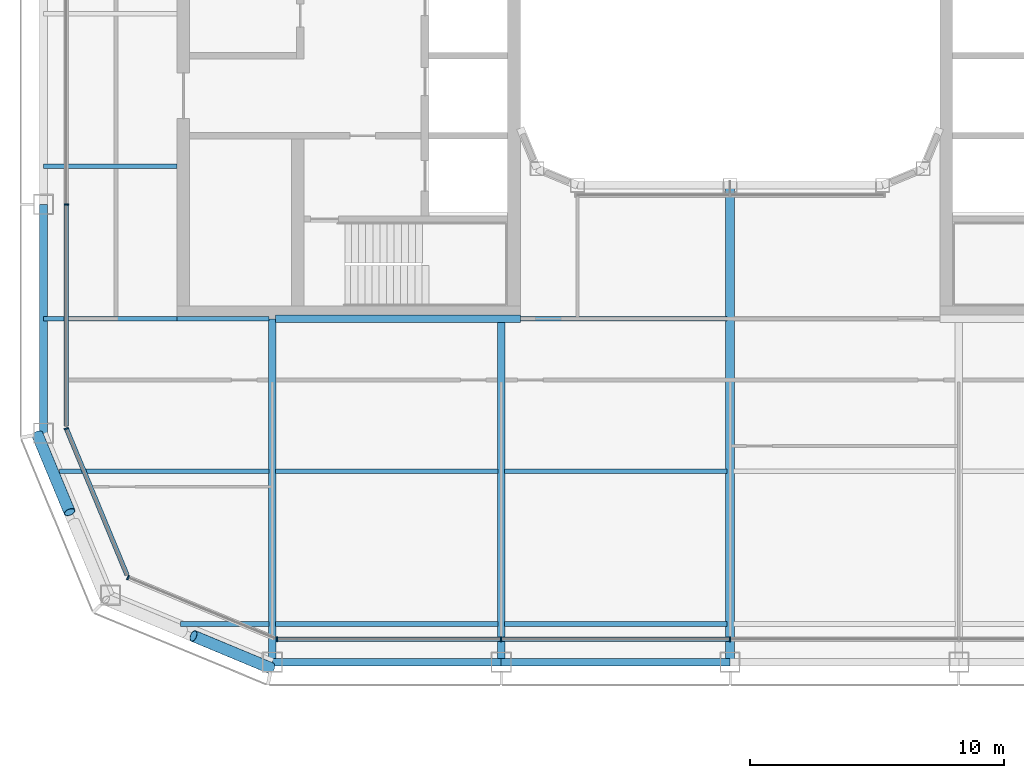
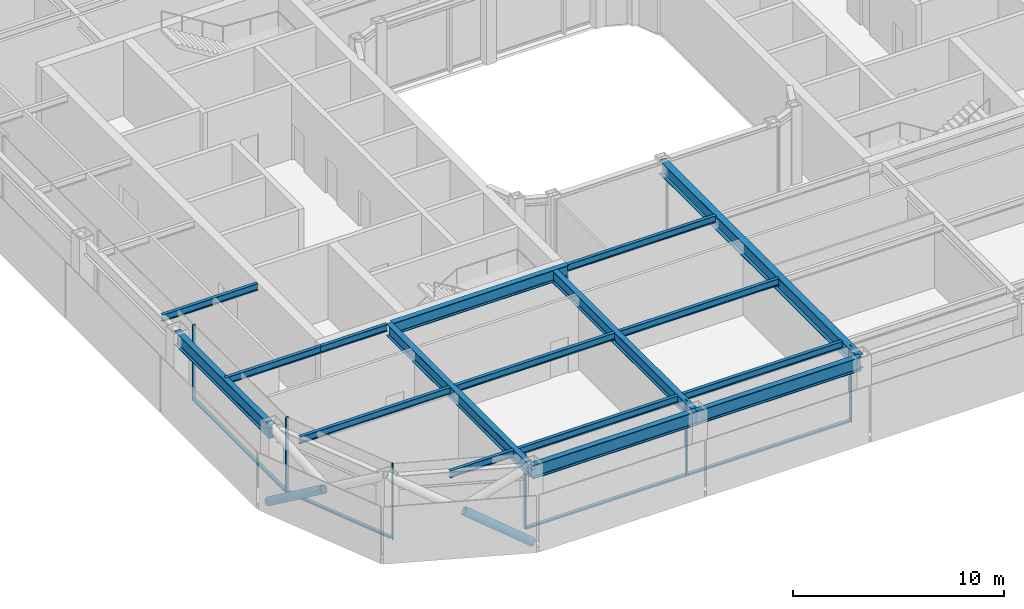
# One storey, part 2 of 22: 17 beams, 12 members, 4 elements without a shape of their own.
"""IFC4 building model written with IfcOpenShell, lengths in metres."""

from ifc_helpers import new_model, si_unit, direction, frame, origin, origin_2d, place, context, subcontext, project, spatial, rectangle, hollow_circle, i_section, extrude, material, layer, layer_set, material_profile, profile_set, type_object, element, aggregate, save


model = new_model("IFC4")

# Units and contexts
model_context = context("Model", 3, precision=1e-05, world=origin(), true_north=direction((0.0, 1.0)))
body_context = subcontext(model_context, "Body", "Model", "MODEL_VIEW")
ifc_project = project(units=[si_unit("LENGTHUNIT", "METRE"), si_unit("AREAUNIT", "SQUARE_METRE"), si_unit("VOLUMEUNIT", "CUBIC_METRE"), si_unit("PLANEANGLEUNIT", "RADIAN"), si_unit("MASSUNIT", "GRAM", prefix="KILO")], contexts=[model_context])

# Site, building, storey
site_placement = place(None, origin())
site = spatial("IfcSite", under=ifc_project, at=site_placement, CompositionType="ELEMENT")
building_placement = place(site_placement, origin())
building = spatial("IfcBuilding", under=site, at=building_placement, Name="Siwar Civic Tower", CompositionType="ELEMENT")
storey_placement = place(building_placement, frame((0.0, 0.0, 255.699951171875)))
storey = spatial("IfcBuildingStorey", under=building, at=storey_placement, Name="L55", CompositionType="ELEMENT", Elevation=255.699951171875)

# Curtain wall, members
ifc_material_1 = material(Name="Aluminium and glass", Category="aluminium")
ifc_layer_1 = layer(ifc_material_1, 0.179931640625)
ifc_layer_set_1 = layer_set([ifc_layer_1], Name="Aluminium and glass")
curtain_wall_type_1 = type_object("IfcCurtainWallType", Name="ENV-CW-C", PredefinedType="NOTDEFINED", material=ifc_layer_set_1)
curtain_wall_1_placement = place(storey_placement, origin())
curtain_wall_1 = element("IfcCurtainWall", 1, at=curtain_wall_1_placement, inside=storey, type_object=curtain_wall_type_1, Name="Curtain wall C S", PredefinedType="NOTDEFINED")
ifc_material_2 = material(Name="Aluminium 6063-T6", Category="aluminium")
ifc_material_profile_1 = material_profile(ifc_material_2, rectangle(XDim=0.179931640625, YDim=0.06005859375, at=origin_2d()), Name="AL 180x60")
ifc_profile_set_1 = profile_set([ifc_material_profile_1], Name="Aluminium 6063-T6")
member_type_1 = type_object("IfcMemberType", Name="ENV-MULLION-C", PredefinedType="MULLION", material=ifc_profile_set_1)
member_1_placement = place(storey_placement, frame((-17.821044921875, -26.10009765625, 0.0), z_axis=(0.0, 0.0, 1.0), x_axis=(0.0, 1.0, 0.0)))
member_1 = element("IfcMember", 2, at=member_1_placement, type_object=member_type_1, Name="Mullion C S 1", PredefinedType="MULLION", context=body_context, shape_type="SweptSolid", body=[
    extrude(rectangle(XDim=0.179931640625, YDim=0.06005859375, at=origin_2d()), origin(), (0.0, 0.0, 1.0), 4.35009765625),
])
member_2_placement = place(storey_placement, frame((-9.0, -26.10009765625, 0.0), z_axis=(0.0, 0.0, 1.0), x_axis=(0.0, 1.0, 0.0)))
member_2 = element("IfcMember", 3, at=member_2_placement, type_object=member_type_1, Name="Mullion C S 2", PredefinedType="MULLION", context=body_context, shape_type="SweptSolid", body=[
    extrude(rectangle(XDim=0.179931640625, YDim=0.06005859375, at=origin_2d()), origin(), (0.0, 0.0, 1.0), 4.35009765625),
])
member_3_placement = place(storey_placement, frame((0.0, -26.10009765625, 0.0), z_axis=(0.0, 0.0, 1.0), x_axis=(0.0, 1.0, 0.0)))
member_3 = element("IfcMember", 4, at=member_3_placement, type_object=member_type_1, Name="Mullion C S 3", PredefinedType="MULLION", context=body_context, shape_type="SweptSolid", body=[
    extrude(rectangle(XDim=0.179931640625, YDim=0.06005859375, at=origin_2d()), origin(), (0.0, 0.0, 1.0), 4.35009765625),
])

# Curtain wall, member
curtain_wall_2_placement = place(storey_placement, origin())
curtain_wall_2 = element("IfcCurtainWall", 5, at=curtain_wall_2_placement, inside=storey, type_object=curtain_wall_type_1, Name="Curtain wall C W", PredefinedType="NOTDEFINED")
member_4_placement = place(storey_placement, frame((-26.10009765625, -9.0, 0.0), z_axis=(0.0, 0.0, 1.0), x_axis=(1.0, 0.0, 0.0)))
member_4 = element("IfcMember", 6, at=member_4_placement, type_object=member_type_1, Name="Mullion C W 4", PredefinedType="MULLION", context=body_context, shape_type="SweptSolid", body=[
    extrude(rectangle(XDim=0.179931640625, YDim=0.06005859375, at=origin_2d()), origin(), (0.0, 0.0, 1.0), 4.35009765625),
])

ifc_material_3 = material(Name="Aluminium clad insulated panel", Category="aluminium")
ifc_layer_2 = layer(ifc_material_3, 0.179931640625)
ifc_layer_set_2 = layer_set([ifc_layer_2], Name="Aluminium clad insulated panel")
curtain_wall_type_2 = type_object("IfcCurtainWallType", Name="ENV-CW-CX", PredefinedType="NOTDEFINED", material=ifc_layer_set_2)
curtain_wall_3_placement = place(storey_placement, origin())
curtain_wall_3 = element("IfcCurtainWall", 7, at=curtain_wall_3_placement, inside=storey, type_object=curtain_wall_type_2, Name="Curtain wall C SW1", PredefinedType="NOTDEFINED")
member_5_placement = place(storey_placement, frame((-26.10009765625, -17.821044921875, 0.0), z_axis=(0.0, 0.0, 1.0), x_axis=(0.923879532511, 0.382683432365, 0.0)))
member_5 = element("IfcMember", 8, at=member_5_placement, type_object=member_type_1, Name="Mullion C SW1 1", PredefinedType="MULLION", context=body_context, shape_type="SweptSolid", body=[
    extrude(rectangle(XDim=0.179931640625, YDim=0.06005859375, at=origin_2d()), origin(), (0.0, 0.0, 1.0), 4.35009765625),
])

curtain_wall_4_placement = place(storey_placement, origin())
curtain_wall_4 = element("IfcCurtainWall", 9, at=curtain_wall_4_placement, inside=storey, type_object=curtain_wall_type_2, Name="Curtain wall C SW2", PredefinedType="NOTDEFINED")
member_6_placement = place(storey_placement, frame((-23.675048828125, -23.675048828125, 0.0), z_axis=(0.0, 0.0, 1.0), x_axis=(0.382683432365, 0.923879532511, 0.0)))
member_6 = element("IfcMember", 10, at=member_6_placement, type_object=member_type_1, Name="Mullion C SW2 1", PredefinedType="MULLION", context=body_context, shape_type="SweptSolid", body=[
    extrude(rectangle(XDim=0.179931640625, YDim=0.06005859375, at=origin_2d()), origin(), (0.0, 0.0, 1.0), 4.35009765625),
])
aggregate(curtain_wall_4, [member_6])

# Member
ifc_material_4 = material(Name="Aluminium 6063-T6", Category="aluminium")
ifc_material_profile_2 = material_profile(ifc_material_4, rectangle(XDim=0.179931640625, YDim=0.10009765625, at=origin_2d()), Name="AL 180x100")
ifc_profile_set_2 = profile_set([ifc_material_profile_2], Name="Aluminium 6063-T6")
member_type_2 = type_object("IfcMemberType", Name="ENV-TRANSOM-C", PredefinedType="USERDEFINED", material=ifc_profile_set_2)
member_7_placement = place(storey_placement, frame((-17.791015625, -26.10009765625, 0.050048828125), z_axis=(1.0, 0.0, 0.0), x_axis=(0.0, 1.0, 0.0)))
member_7 = element("IfcMember", 11, at=member_7_placement, type_object=member_type_2, Name="Transom C S 1", ObjectType="TRANSOM", PredefinedType="USERDEFINED", context=body_context, shape_type="SweptSolid", body=[
    extrude(rectangle(XDim=0.179931640625, YDim=0.10009765625, at=origin_2d()), origin(), (0.0, 0.0, 1.0), 8.760986328125),
])

member_8_placement = place(storey_placement, frame((-8.969970703125, -26.10009765625, 0.050048828125), z_axis=(1.0, 0.0, 0.0), x_axis=(0.0, 1.0, 0.0)))
member_8 = element("IfcMember", 12, at=member_8_placement, type_object=member_type_2, Name="Transom C S 2", ObjectType="TRANSOM", PredefinedType="USERDEFINED", context=body_context, shape_type="SweptSolid", body=[
    extrude(rectangle(XDim=0.179931640625, YDim=0.10009765625, at=origin_2d()), origin(), (0.0, 0.0, 1.0), 8.93994140625),
])

aggregate(curtain_wall_1, [member_1, member_2, member_3, member_7, member_8])

member_9_placement = place(storey_placement, frame((-26.10009765625, -9.030029296875, 0.050048828125), z_axis=(0.0, -1.0, 0.0), x_axis=(1.0, 0.0, 0.0)))
member_9 = element("IfcMember", 13, at=member_9_placement, type_object=member_type_2, Name="Transom C W 4", ObjectType="TRANSOM", PredefinedType="USERDEFINED", context=body_context, shape_type="SweptSolid", body=[
    extrude(rectangle(XDim=0.179931640625, YDim=0.10009765625, at=origin_2d()), origin(), (0.0, 0.0, 1.0), 8.68603515625),
])

aggregate(curtain_wall_2, [member_4, member_9])

member_10_placement = place(storey_placement, frame((-26.088623046875, -17.8486328125, 0.050048828125), z_axis=(0.38267744817, -0.923882011223, 0.0), x_axis=(0.923882011223, 0.38267744817, 0.0)))
member_10 = element("IfcMember", 14, at=member_10_placement, type_object=member_type_2, Name="Transom C SW1 1", ObjectType="TRANSOM", PredefinedType="USERDEFINED", context=body_context, shape_type="SweptSolid", body=[
    extrude(rectangle(XDim=0.179931640625, YDim=0.10009765625, at=origin_2d()), origin(), (0.0, 0.0, 1.0), 6.201904296875),
])

aggregate(curtain_wall_3, [member_5, member_10])

# Members
ifc_material_5 = material(Name="Steel S355", Category="steel")
ifc_material_profile_3 = material_profile(ifc_material_5, hollow_circle(Radius=0.228515625, WallThickness=0.02001953125, at=origin_2d()), Name="CHS457x20")
ifc_profile_set_3 = profile_set([ifc_material_profile_3], Name="Steel S355")
member_type_3 = type_object("IfcMemberType", Name="STR-BR-CHS457x20", PredefinedType="BRACE", material=ifc_profile_set_3)
for number, where, z_axis, x_axis, name in (
    (15, (-18.048828125, -27.2451171875, 0.0), (-0.777546448489, 0.323884455881, 0.538999424564), (-0.38452107079, -0.92311621485, 0.0), "L55/brc/CSW1-15-0-2"),
    (16, (-27.2451171875, -18.048828125, 0.0), (0.323884455881, -0.777546448489, 0.538999424564), (0.92311621485, 0.38452107079, 0.0), "L55/brc/CSW1-15-0-4"),
):
    element("IfcMember", number, at=place(storey_placement, frame(where, z_axis=z_axis, x_axis=x_axis)), inside=storey, type_object=member_type_3, Name=name, PredefinedType="BRACE", context=body_context, shape_type="SweptSolid", body=[
        extrude(hollow_circle(Radius=0.228515625, WallThickness=0.02001953125, at=origin_2d()), origin(), (0.0, 0.0, 1.0), 3.927978515625),
    ])

# Beams
ifc_material_6 = material(Name="Steel S355", Category="steel")
ifc_material_profile_4 = material_profile(ifc_material_6, i_section(OverallWidth=0.179931640625, OverallDepth=0.39990234375, WebThickness=0.008544921875, FlangeThickness=0.013427734375, FilletRadius=0.02099609375, at=origin_2d()), Name="IPE400")
ifc_profile_set_4 = profile_set([ifc_material_profile_4], Name="Steel S355")
beam_type_1 = type_object("IfcBeamType", Name="STR-FB-IPE400", PredefinedType="JOIST", material=ifc_profile_set_4)
beam_1_placement = place(storey_placement, frame((-21.621337890625, -25.5, 4.150146484375), z_axis=(1.0, 0.0, 0.0), x_axis=(0.0, 1.0, 0.0)))
element("IfcBeam", 17, at=beam_1_placement, inside=storey, type_object=beam_type_1, Name="L55/bm/F001", PredefinedType="JOIST", context=body_context, shape_type="SweptSolid", body=[
    extrude(i_section(OverallWidth=0.179931640625, OverallDepth=0.39990234375, WebThickness=0.008544921875, FlangeThickness=0.013427734375, FilletRadius=0.02099609375, at=origin_2d()), origin(), (0.0, 0.0, 1.0), 3.491455078125),
])
for number, where, z_axis, x_axis, name in (
    (18, (-17.8701171875, -25.5, 4.150146484375), (1.0, 0.0, 0.0), (0.0, 1.0, 0.0), "L55/bm/F002"),
    (19, (-8.8701171875, -25.5, 4.150146484375), (1.0, 0.0, 0.0), (0.0, 1.0, 0.0), "L55/bm/F003"),
):
    element("IfcBeam", number, at=place(storey_placement, frame(where, z_axis=z_axis, x_axis=x_axis)), inside=storey, type_object=beam_type_1, Name=name, PredefinedType="JOIST", context=body_context, shape_type="SweptSolid", body=[
        extrude(i_section(OverallWidth=0.179931640625, OverallDepth=0.39990234375, WebThickness=0.008544921875, FlangeThickness=0.013427734375, FilletRadius=0.02099609375, at=origin_2d()), origin(), (0.0, 0.0, 1.0), 8.740234375),
    ])
beam_2_placement = place(storey_placement, frame((-26.378662109375, -19.5, 4.150146484375), z_axis=(1.0, 0.0, 0.0), x_axis=(0.0, 1.0, 0.0)))
element("IfcBeam", 20, at=beam_2_placement, inside=storey, type_object=beam_type_1, Name="L55/bm/F007", PredefinedType="JOIST", context=body_context, shape_type="SweptSolid", body=[
    extrude(i_section(OverallWidth=0.179931640625, OverallDepth=0.39990234375, WebThickness=0.008544921875, FlangeThickness=0.013427734375, FilletRadius=0.02099609375, at=origin_2d()), origin(), (0.0, 0.0, 1.0), 8.248779296875),
])
for number, where, z_axis, x_axis, name in (
    (21, (-17.8701171875, -19.5, 4.150146484375), (1.0, 0.0, 0.0), (0.0, 1.0, 0.0), "L55/bm/F008"),
    (22, (-8.8701171875, -19.5, 4.150146484375), (1.0, 0.0, 0.0), (0.0, 1.0, 0.0), "L55/bm/F009"),
):
    element("IfcBeam", number, at=place(storey_placement, frame(where, z_axis=z_axis, x_axis=x_axis)), inside=storey, type_object=beam_type_1, Name=name, PredefinedType="JOIST", context=body_context, shape_type="SweptSolid", body=[
        extrude(i_section(OverallWidth=0.179931640625, OverallDepth=0.39990234375, WebThickness=0.008544921875, FlangeThickness=0.013427734375, FilletRadius=0.02099609375, at=origin_2d()), origin(), (0.0, 0.0, 1.0), 8.740234375),
    ])
beam_3_placement = place(storey_placement, frame((-27.0, -13.5, 4.150146484375), z_axis=(1.0, 0.0, 0.0), x_axis=(0.0, 1.0, 0.0)))
element("IfcBeam", 23, at=beam_3_placement, inside=storey, type_object=beam_type_1, Name="L55/bm/F013", PredefinedType="JOIST", context=body_context, shape_type="SweptSolid", body=[
    extrude(i_section(OverallWidth=0.179931640625, OverallDepth=0.39990234375, WebThickness=0.008544921875, FlangeThickness=0.013427734375, FilletRadius=0.02099609375, at=origin_2d()), origin(), (0.0, 0.0, 1.0), 5.25),
])
beam_4_placement = place(storey_placement, frame((-21.75, -13.5, 4.150146484375), z_axis=(1.0, 0.0, 0.0), x_axis=(0.0, 1.0, 0.0)))
element("IfcBeam", 24, at=beam_4_placement, inside=storey, type_object=beam_type_1, Name="L55/bm/F014", PredefinedType="JOIST", context=body_context, shape_type="SweptSolid", body=[
    extrude(i_section(OverallWidth=0.179931640625, OverallDepth=0.39990234375, WebThickness=0.008544921875, FlangeThickness=0.013427734375, FilletRadius=0.02099609375, at=origin_2d()), origin(), (0.0, 0.0, 1.0), 3.6201171875),
])
beam_5_placement = place(storey_placement, frame((-8.25, -13.5, 4.150146484375), z_axis=(1.0, 0.0, 0.0), x_axis=(0.0, 1.0, 0.0)))
element("IfcBeam", 25, at=beam_5_placement, inside=storey, type_object=beam_type_1, Name="L55/bm/F016", PredefinedType="JOIST", context=body_context, shape_type="SweptSolid", body=[
    extrude(i_section(OverallWidth=0.179931640625, OverallDepth=0.39990234375, WebThickness=0.008544921875, FlangeThickness=0.013427734375, FilletRadius=0.02099609375, at=origin_2d()), origin(), (0.0, 0.0, 1.0), 8.1201171875),
])
beam_6_placement = place(storey_placement, frame((-27.0, -7.5, 4.150146484375), z_axis=(1.0, 0.0, 0.0), x_axis=(0.0, 1.0, 0.0)))
element("IfcBeam", 26, at=beam_6_placement, inside=storey, type_object=beam_type_1, Name="L55/bm/F021", PredefinedType="JOIST", context=body_context, shape_type="SweptSolid", body=[
    extrude(i_section(OverallWidth=0.179931640625, OverallDepth=0.39990234375, WebThickness=0.008544921875, FlangeThickness=0.013427734375, FilletRadius=0.02099609375, at=origin_2d()), origin(), (0.0, 0.0, 1.0), 5.25),
])
ifc_material_7 = material(Name="Steel S355", Category="steel")
ifc_material_profile_5 = material_profile(ifc_material_7, i_section(OverallWidth=0.300048828125, OverallDepth=0.699951171875, WebThickness=0.01708984375, FlangeThickness=0.031982421875, FilletRadius=0.027099609375, at=origin_2d()), Name="HEB700")
ifc_profile_set_5 = profile_set([ifc_material_profile_5], Name="Steel S355")
beam_type_2 = type_object("IfcBeamType", Name="STR-PG-HEB700", PredefinedType="BEAM", material=ifc_profile_set_5)
for number, where, z_axis, x_axis, name in (
    (27, (-18.0, -27.0, 4.0), (0.0, 1.0, 0.0), (-1.0, 0.0, 0.0), "L55/bm/G01"),
    (28, (-9.0, -27.0, 4.0), (0.0, 1.0, 0.0), (-1.0, 0.0, 0.0), "L55/bm/G03"),
):
    element("IfcBeam", number, at=place(storey_placement, frame(where, z_axis=z_axis, x_axis=x_axis)), inside=storey, type_object=beam_type_2, Name=name, PredefinedType="BEAM", context=body_context, shape_type="SweptSolid", body=[
        extrude(i_section(OverallWidth=0.300048828125, OverallDepth=0.699951171875, WebThickness=0.01708984375, FlangeThickness=0.031982421875, FilletRadius=0.027099609375, at=origin_2d()), origin(), (0.0, 0.0, 1.0), 13.5),
    ])
beam_7_placement = place(storey_placement, frame((-17.8701171875, -13.5, 4.0), z_axis=(1.0, 0.0, 0.0), x_axis=(0.0, 1.0, 0.0)))
element("IfcBeam", 29, at=beam_7_placement, inside=storey, type_object=beam_type_2, Name="L55/bm/F015", PredefinedType="BEAM", context=body_context, shape_type="SweptSolid", body=[
    extrude(i_section(OverallWidth=0.300048828125, OverallDepth=0.699951171875, WebThickness=0.01708984375, FlangeThickness=0.031982421875, FilletRadius=0.027099609375, at=origin_2d()), origin(), (0.0, 0.0, 1.0), 9.6201171875),
])
ifc_material_8 = material(Name="Steel S355", Category="steel")
ifc_material_profile_6 = material_profile(ifc_material_8, i_section(OverallWidth=0.360107421875, OverallDepth=0.800048828125, WebThickness=0.013916015625, FlangeThickness=0.031982421875, at=origin_2d()), Name="PG800x360x14x32")
ifc_profile_set_6 = profile_set([ifc_material_profile_6], Name="Steel S355")
beam_type_3 = type_object("IfcBeamType", Name="STR-PG-PG800x360x14x32", PredefinedType="BEAM", material=ifc_profile_set_6)
beam_8_placement = place(storey_placement, frame((0.0, -27.0, 3.949951171875), z_axis=(0.0, 1.0, 0.0), x_axis=(-1.0, 0.0, 0.0)))
element("IfcBeam", 30, at=beam_8_placement, inside=storey, type_object=beam_type_3, Name="L55/bm/G05", PredefinedType="BEAM", context=body_context, shape_type="SweptSolid", body=[
    extrude(i_section(OverallWidth=0.360107421875, OverallDepth=0.800048828125, WebThickness=0.013916015625, FlangeThickness=0.031982421875, at=origin_2d()), origin(), (0.0, 0.0, 1.0), 18.75),
])
ifc_material_9 = material(Name="Steel S355", Category="steel")
ifc_material_profile_7 = material_profile(ifc_material_9, i_section(OverallWidth=0.300048828125, OverallDepth=0.800048828125, WebThickness=0.017578125, FlangeThickness=0.032958984375, FilletRadius=0.030029296875, at=origin_2d()), Name="HEB800")
ifc_profile_set_7 = profile_set([ifc_material_profile_7], Name="Steel S355")
beam_type_4 = type_object("IfcBeamType", Name="STR-SB-HEB800", PredefinedType="BEAM", material=ifc_profile_set_7)
for number, where, z_axis, x_axis, name in (
    (31, (-18.0, -27.0, 3.949951171875), (1.0, 0.0, 0.0), (0.0, 1.0, 0.0), "L55/bm/SS-0"),
    (32, (-9.0, -27.0, 3.949951171875), (1.0, 0.0, 0.0), (0.0, 1.0, 0.0), "L55/bm/SS-1"),
    (33, (-27.0, -9.0, 3.949951171875), (0.0, -1.0, 0.0), (1.0, 0.0, 0.0), "L55/bm/SW-3"),
):
    element("IfcBeam", number, at=place(storey_placement, frame(where, z_axis=z_axis, x_axis=x_axis)), inside=storey, type_object=beam_type_4, Name=name, PredefinedType="BEAM", context=body_context, shape_type="SweptSolid", body=[
        extrude(i_section(OverallWidth=0.300048828125, OverallDepth=0.800048828125, WebThickness=0.017578125, FlangeThickness=0.032958984375, FilletRadius=0.030029296875, at=origin_2d()), origin(), (0.0, 0.0, 1.0), 9.0),
    ])

save(model, "model.ifc")
